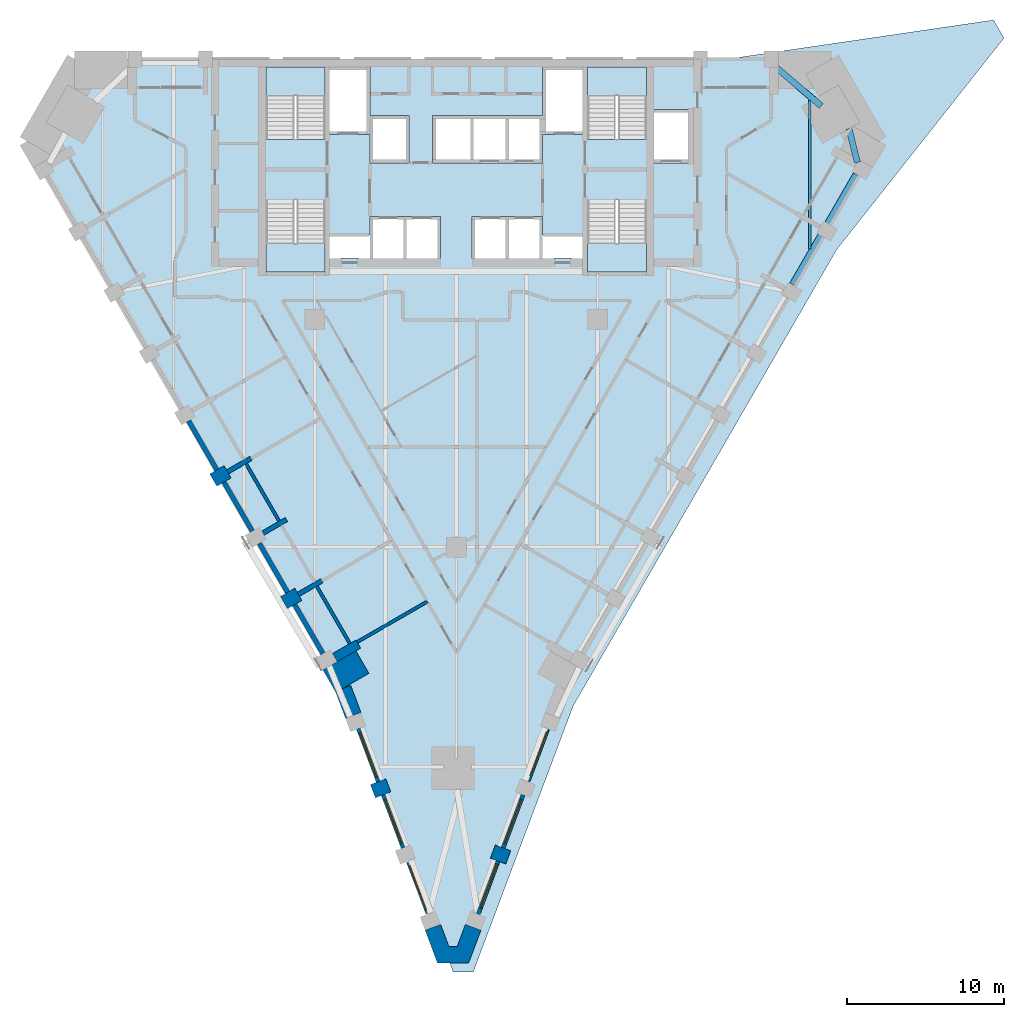
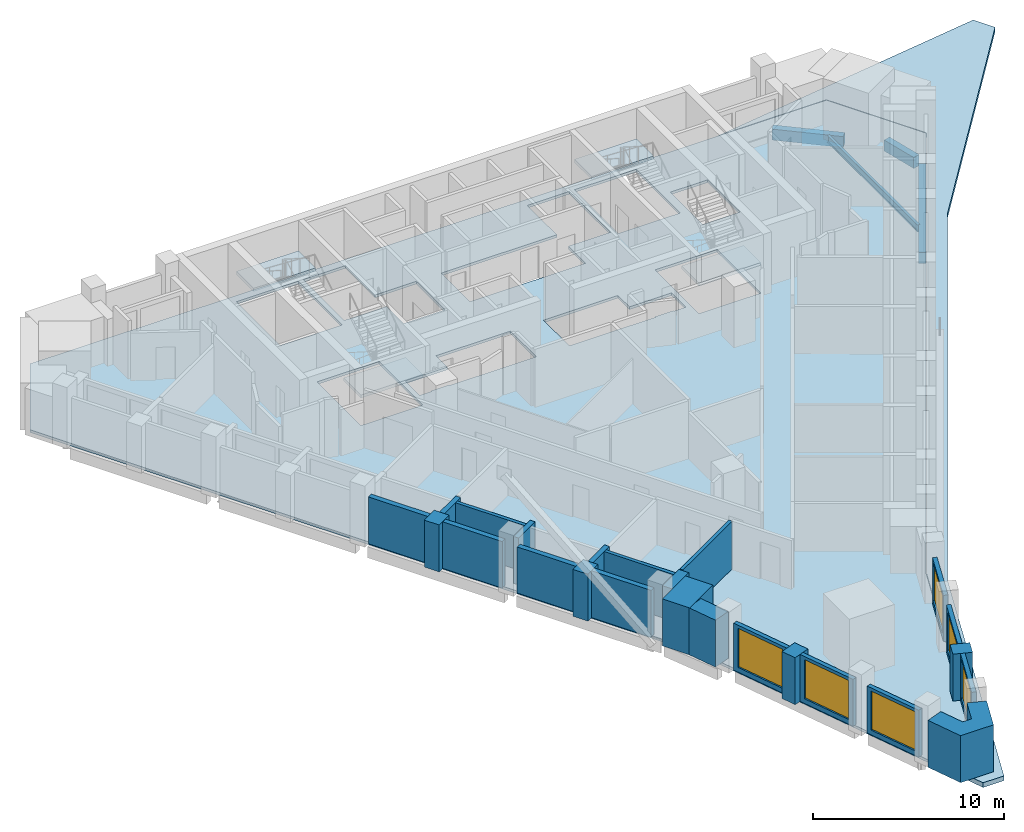
# One storey, part 2 of 10: 24 walls, 6 slabs, 6 windows, 4 beams, 6 openings, 4 elements without a shape of their own.
"""IFC4 building model written with IfcOpenShell, lengths in metres."""

from ifc_helpers import new_model, si_unit, direction, frame, frame_2d, origin, origin_2d, place, context, subcontext, project, spatial, polyline, rectangle, i_section, outline, extrude, material, layer, layer_set, material_profile, profile_set, type_object, element, fill, aggregate, save


model = new_model("IFC4")

# Units and contexts
model_context = context("Model", 3, precision=1e-05, world=origin(), true_north=direction((0.0, 1.0)))
body_context = subcontext(model_context, "Body", "Model", "MODEL_VIEW")
ifc_project = project(units=[si_unit("LENGTHUNIT", "METRE"), si_unit("AREAUNIT", "SQUARE_METRE"), si_unit("VOLUMEUNIT", "CUBIC_METRE"), si_unit("PLANEANGLEUNIT", "RADIAN"), si_unit("MASSUNIT", "GRAM", prefix="KILO")], contexts=[model_context])

# Site, building, storey
site_placement = place(None, origin())
site = spatial("IfcSite", under=ifc_project, at=site_placement, CompositionType="ELEMENT")
building_placement = place(site_placement, origin())
building = spatial("IfcBuilding", under=site, at=building_placement, Name="Calabash Gate Tower", CompositionType="ELEMENT")
storey_placement = place(building_placement, frame((0.0, 0.0, 144.60009765625)))
storey = spatial("IfcBuildingStorey", under=building, at=storey_placement, Name="L33", CompositionType="ELEMENT", Elevation=144.60009765625)

# Beams
ifc_material_1 = material(Name="Concrete C50/60", Category="concrete")
ifc_material_profile_1 = material_profile(ifc_material_1, rectangle(XDim=0.39990234375, YDim=0.699951171875, at=origin_2d()))
ifc_profile_set_1 = profile_set([ifc_material_profile_1], Name="Concrete C50/60")
beam_type_1 = type_object("IfcBeamType", Name="Edge beam RC 400x700 Concrete C50/60", PredefinedType="BEAM", material=ifc_profile_set_1)
beam_1_placement = place(storey_placement, frame((21.39697265625, 4.7060546875, -0.52001953125), z_axis=(0.50005208986, 0.865995327601, 0.0), x_axis=(-0.865995327601, 0.50005208986, 0.0)))
element("IfcBeam", 1, at=beam_1_placement, inside=storey, type_object=beam_type_1, Name="Edge beam L33 14", PredefinedType="BEAM", context=body_context, shape_type="SweptSolid", body=[
    extrude(rectangle(XDim=0.39990234375, YDim=0.699951171875, at=origin_2d()), origin(), (0.0, 0.0, 1.0), 8.099365234375),
])
beam_2_placement = place(storey_placement, frame((25.531005859375, 12.471923828125, -0.52001953125), z_axis=(-0.243049873382, 0.970013793226, 0.0), x_axis=(-0.970013793226, -0.243049873382, 0.0)))
element("IfcBeam", 2, at=beam_2_placement, inside=storey, type_object=beam_type_1, Name="Edge beam L33 15", PredefinedType="BEAM", context=body_context, shape_type="SweptSolid", body=[
    extrude(rectangle(XDim=0.39990234375, YDim=0.699951171875, at=origin_2d()), origin(), (0.0, 0.0, 1.0), 2.23388671875),
])
beam_3_placement = place(storey_placement, frame((23.22705078125, 16.070068359375, -0.52001953125), z_axis=(-0.760267652888, 0.649609956799, 0.0), x_axis=(-0.649609956799, -0.760267652888, 0.0)))
element("IfcBeam", 3, at=beam_3_placement, inside=storey, type_object=beam_type_1, Name="Edge beam L33 16", PredefinedType="BEAM", context=body_context, shape_type="SweptSolid", body=[
    extrude(rectangle(XDim=0.39990234375, YDim=0.699951171875, at=origin_2d()), origin(), (0.0, 0.0, 1.0), 3.814697265625),
])
ifc_material_2 = material(Name="Steel ASTM A992 Gr50", Category="steel")
ifc_material_profile_2 = material_profile(ifc_material_2, i_section(OverallWidth=0.15234375, OverallDepth=0.44970703125, WebThickness=0.007568359375, FlangeThickness=0.0107421875, FilletRadius=0.01025390625, at=origin_2d()))
ifc_profile_set_2 = profile_set([ifc_material_profile_2], Name="Steel ASTM A992 Gr50")
beam_type_2 = type_object("IfcBeamType", Name="Floor beam W18x35 ASTM A992 Gr50", PredefinedType="BEAM", material=ifc_profile_set_2)
beam_4_placement = place(storey_placement, frame((22.5, 6.98291015625, -0.39306640625), z_axis=(0.0, 1.0, 0.0), x_axis=(-1.0, 0.0, 0.0)))
element("IfcBeam", 4, at=beam_4_placement, inside=storey, type_object=beam_type_2, Name="Floor beam L33 19", PredefinedType="BEAM", context=body_context, shape_type="SweptSolid", body=[
    extrude(i_section(OverallWidth=0.15234375, OverallDepth=0.44970703125, WebThickness=0.007568359375, FlangeThickness=0.0107421875, FilletRadius=0.01025390625, at=origin_2d()), origin(), (0.0, 0.0, 1.0), 9.463134765625),
])

# Slabs
ifc_material_3 = material(Name="Concrete C40/50", Category="concrete")
ifc_layer_1 = layer(ifc_material_3, 0.169921875)
ifc_layer_set_1 = layer_set([ifc_layer_1], Name="Composite floor slab 170 Concrete C40/50")
slab_type_1 = type_object("IfcSlabType", Name="Composite floor slab 170 Concrete C40/50", PredefinedType="FLOOR", material=ifc_layer_set_1)
slab_1_placement = place(storey_placement, frame((0.0, 0.0, -0.170166015625)))
element("IfcSlab", 5, at=slab_1_placement, inside=storey, type_object=slab_type_1, Name="Floor slab L33", PredefinedType="FLOOR", context=body_context, shape_type="SweptSolid", body=[
    extrude(outline(polyline([(-24.28955078125, 19.052490234375), (23.880126953125, 19.052490234375), (26.895751953125, 13.8291015625), (6.795166015625, -20.98583984375), (0.428466796875, -37.92529296875), (-0.837890625, -37.92529296875), (-7.204833984375, -20.98583984375), (-27.30517578125, 13.8291015625), (-24.28955078125, 19.052490234375)]), holes=[polyline([(-3.25, 9.052490234375), (-5.5, 9.052490234375), (-5.5, 7.8525390625), (-8.050048828125, 7.8525390625), (-8.050048828125, 6.3525390625), (-7.324951171875, 6.3525390625), (-7.324951171875, 6.402587890625), (-6.22509765625, 6.402587890625), (-6.22509765625, 6.3525390625), (-5.5, 6.3525390625), (-3.25, 6.3525390625), (-1.0, 6.3525390625), (-1.0, 9.052490234375), (-3.25, 9.052490234375)]), polyline([(5.5, 6.3525390625), (6.22509765625, 6.3525390625), (6.22509765625, 6.402587890625), (7.324951171875, 6.402587890625), (7.324951171875, 6.3525390625), (8.050048828125, 6.3525390625), (8.050048828125, 7.8525390625), (5.5, 7.8525390625), (5.5, 9.052490234375), (3.25, 9.052490234375), (1.0, 9.052490234375), (1.0, 6.3525390625), (3.25, 6.3525390625), (5.5, 6.3525390625)]), polyline([(-5.5, 12.45263671875), (-3.0, 12.45263671875), (-3.0, 15.45263671875), (-5.5, 15.45263671875), (-5.5, 18.552490234375), (-8.050048828125, 18.552490234375), (-8.050048828125, 14.252685546875), (-5.5, 14.252685546875), (-5.5, 12.45263671875)]), polyline([(-1.5, 15.45263671875), (-1.5, 12.45263671875), (1.0, 12.45263671875), (3.25, 12.45263671875), (5.5, 12.45263671875), (5.5, 14.252685546875), (8.050048828125, 14.252685546875), (8.050048828125, 18.552490234375), (5.5, 18.552490234375), (5.5, 15.45263671875), (3.25, 15.45263671875), (1.0, 15.45263671875), (-1.5, 15.45263671875)]), polyline([(14.85009765625, 15.8525390625), (12.60009765625, 15.8525390625), (12.60009765625, 12.45263671875), (14.85009765625, 12.45263671875), (14.85009765625, 15.8525390625)]), polyline([(-8.35009765625, 18.552490234375), (-12.10009765625, 18.552490234375), (-12.10009765625, 13.95263671875), (-8.35009765625, 13.95263671875), (-8.35009765625, 18.552490234375)]), polyline([(-12.10009765625, 10.1025390625), (-12.10009765625, 5.502685546875), (-8.35009765625, 5.502685546875), (-8.35009765625, 10.1025390625), (-12.10009765625, 10.1025390625)]), polyline([(8.35009765625, 13.95263671875), (12.10009765625, 13.95263671875), (12.10009765625, 18.552490234375), (8.35009765625, 18.552490234375), (8.35009765625, 13.95263671875)]), polyline([(12.10009765625, 5.502685546875), (12.10009765625, 10.1025390625), (8.35009765625, 10.1025390625), (8.35009765625, 5.502685546875), (12.10009765625, 5.502685546875)])]), origin(), (0.0, 0.0, 1.0), 0.170166015625),
])
ifc_material_4 = material(Name="Concrete C40/50", Category="concrete")
ifc_layer_2 = layer(ifc_material_4, 0.300048828125)
ifc_layer_set_2 = layer_set([ifc_layer_2], Name="Reinforced concrete roof slab 300 Concrete C40/50")
slab_type_2 = type_object("IfcSlabType", Name="Reinforced concrete roof slab 300 Concrete C40/50", PredefinedType="ROOF", material=ifc_layer_set_2)
slab_2_placement = place(storey_placement, frame((0.0, 0.0, -0.300048828125)))
element("IfcSlab", 6, at=slab_2_placement, inside=storey, type_object=slab_type_2, Name="Roof slab L32 1", PredefinedType="ROOF", context=body_context, shape_type="SweptSolid", body=[
    extrude(outline(polyline([(34.192138671875, 21.54150390625), (34.856689453125, 20.390625), (24.2099609375, 6.92822265625), (7.444580078125, -22.110595703125), (1.077880859375, -39.050048828125), (-0.188720703125, -39.050048828125), (-0.60400390625, -37.9453125), (0.428466796875, -37.9453125), (0.4306640625, -37.9453125), (0.4326171875, -37.94482421875), (0.4345703125, -37.9443359375), (0.4365234375, -37.94384765625), (0.438232421875, -37.94287109375), (0.43994140625, -37.94189453125), (0.441650390625, -37.9404296875), (0.443115234375, -37.939208984375), (0.4443359375, -37.937744140625), (0.445556640625, -37.93603515625), (0.446533203125, -37.934326171875), (0.447265625, -37.932373046875), (6.8134765625, -20.994384765625), (26.9130859375, 13.819091796875), (26.9140625, 13.82080078125), (26.91455078125, 13.822509765625), (26.915283203125, 13.824462890625), (26.91552734375, 13.826416015625), (26.915771484375, 13.828125), (26.915771484375, 13.830078125), (26.91552734375, 13.83203125), (26.915283203125, 13.833984375), (26.91455078125, 13.835693359375), (26.9140625, 13.83740234375), (26.9130859375, 13.839111328125), (23.8974609375, 19.0625), (23.896240234375, 19.064208984375), (23.89501953125, 19.065673828125), (23.893798828125, 19.067138671875), (23.892333984375, 19.068359375), (23.890869140625, 19.0693359375), (23.88916015625, 19.0703125), (23.887451171875, 19.071044921875), (23.8857421875, 19.07177734375), (23.8837890625, 19.072265625), (23.8818359375, 19.072509765625), (23.880126953125, 19.072509765625), (17.346435546875, 19.072509765625), (34.192138671875, 21.54150390625)])), origin(), (0.0, 0.0, 1.0), 0.300048828125),
])

# Stair, slab
ifc_material_5 = material(Name="Concrete C40/50", Category="concrete")
stair_type = type_object("IfcStairType", Name="Exit stair 22 risers of 177.3 mm", PredefinedType="HALF_TURN_STAIR", material=ifc_material_5)
stair_1_placement = place(storey_placement, origin())
stair_1 = element("IfcStair", 7, at=stair_1_placement, inside=storey, type_object=stair_type, Name="L33 Exit stair ST1", PredefinedType="HALF_TURN_STAIR")
ifc_material_6 = material(Name="Concrete C40/50", Category="concrete")
ifc_layer_3 = layer(ifc_material_6, 0.199951171875)
ifc_layer_set_3 = layer_set([ifc_layer_3], Name="Stair landing SL200")
slab_type_3 = type_object("IfcSlabType", Name="Stair landing SL200", PredefinedType="LANDING", material=ifc_layer_set_3)
slab_3_placement = place(storey_placement, frame((0.0, 0.0, 1.75)))
slab_3 = element("IfcSlab", 8, at=slab_3_placement, type_object=slab_type_3, Name="ST1 landing 1", PredefinedType="LANDING", context=body_context, shape_type="SweptSolid", body=[
    extrude(outline(polyline([(-8.35009765625, 16.74267578125), (-8.35009765625, 18.552490234375), (-12.10009765625, 18.552490234375), (-12.10009765625, 16.74267578125), (-8.35009765625, 16.74267578125)])), origin(), (0.0, 0.0, 1.0), 0.199951171875),
])
aggregate(stair_1, [slab_3])

stair_2_placement = place(storey_placement, origin())
stair_2 = element("IfcStair", 9, at=stair_2_placement, inside=storey, type_object=stair_type, Name="L33 Exit stair ST2", PredefinedType="HALF_TURN_STAIR")
slab_4_placement = place(storey_placement, frame((0.0, 0.0, 1.75)))
slab_4 = element("IfcSlab", 10, at=slab_4_placement, type_object=slab_type_3, Name="ST2 landing 1", PredefinedType="LANDING", context=body_context, shape_type="SweptSolid", body=[
    extrude(outline(polyline([(-12.10009765625, 7.3125), (-12.10009765625, 5.502685546875), (-8.35009765625, 5.502685546875), (-8.35009765625, 7.3125), (-12.10009765625, 7.3125)])), origin(), (0.0, 0.0, 1.0), 0.199951171875),
])
aggregate(stair_2, [slab_4])

stair_3_placement = place(storey_placement, origin())
stair_3 = element("IfcStair", 11, at=stair_3_placement, inside=storey, type_object=stair_type, Name="L33 Exit stair ST3", PredefinedType="HALF_TURN_STAIR")
slab_5_placement = place(storey_placement, frame((0.0, 0.0, 1.75)))
slab_5 = element("IfcSlab", 12, at=slab_5_placement, type_object=slab_type_3, Name="ST3 landing 1", PredefinedType="LANDING", context=body_context, shape_type="SweptSolid", body=[
    extrude(outline(polyline([(12.10009765625, 16.74267578125), (12.10009765625, 18.552490234375), (8.35009765625, 18.552490234375), (8.35009765625, 16.74267578125), (12.10009765625, 16.74267578125)])), origin(), (0.0, 0.0, 1.0), 0.199951171875),
])
aggregate(stair_3, [slab_5])

stair_4_placement = place(storey_placement, origin())
stair_4 = element("IfcStair", 13, at=stair_4_placement, inside=storey, type_object=stair_type, Name="L33 Exit stair ST4", PredefinedType="HALF_TURN_STAIR")
slab_6_placement = place(storey_placement, frame((0.0, 0.0, 1.75)))
slab_6 = element("IfcSlab", 14, at=slab_6_placement, type_object=slab_type_3, Name="ST4 landing 1", PredefinedType="LANDING", context=body_context, shape_type="SweptSolid", body=[
    extrude(outline(polyline([(8.35009765625, 7.3125), (8.35009765625, 5.502685546875), (12.10009765625, 5.502685546875), (12.10009765625, 7.3125), (8.35009765625, 7.3125)])), origin(), (0.0, 0.0, 1.0), 0.199951171875),
])
aggregate(stair_4, [slab_6])

# Walls
ifc_material_7 = material(Name="Terracotta brick masonry, exposed face", Category="masonry")
ifc_layer_4 = layer(ifc_material_7, 2.425048828125)
ifc_layer_set_4 = layer_set([ifc_layer_4], Name="Brick corner mass wall 2425")
wall_type_1 = type_object("IfcWallType", Name="Brick corner mass wall 2425", PredefinedType="SOLIDWALL", material=ifc_layer_set_4)
wall_1_placement = place(storey_placement, origin())
element("IfcWall", 15, at=wall_1_placement, inside=storey, type_object=wall_type_1, Name="Brick corner pier S09 1", PredefinedType="SOLIDWALL", context=body_context, shape_type="SweptSolid", body=[
    extrude(outline(polyline([(-5.559326171875, -20.035888671875), (-6.384521484375, -18.6064453125), (-7.573974609375, -19.293212890625), (-7.5732421875, -19.294189453125), (-8.482666015625, -19.819091796875), (-8.483154296875, -19.818115234375), (-8.484619140625, -19.819091796875), (-7.659423828125, -21.248291015625), (-5.559326171875, -20.035888671875)])), origin(), (0.0, 0.0, 1.0), 3.0),
])
ifc_material_8 = material(Name="Terracotta brick masonry, exposed face", Category="masonry")
ifc_layer_5 = layer(ifc_material_8, 1.050048828125)
ifc_layer_set_5 = layer_set([ifc_layer_5], Name="Brick end wall 1050")
wall_type_2 = type_object("IfcWallType", Name="Brick end wall 1050", PredefinedType="SOLIDWALL", material=ifc_layer_set_5)
for number, where, z_axis, x_axis, name in (
    (16, (-15.459716796875, -7.738037109375, 0.0), (0.0, 0.0, 1.0), (0.865988129768, 0.500064554934, 0.0), "Brick pier S09 SW0.5"),
    (17, (-10.05029296875, -15.00732421875, 0.0), (0.0, 0.0, 1.0), (-0.866088799389, -0.499890179513, 0.0), "Brick pier S09 SW0.7"),
    (18, (-4.321533203125, -27.164794921875, 0.0), (0.0, 0.0, 1.0), (-0.936080509118, -0.351785844584, 0.0), "Brick pier S09 wedge1.1"),
    (19, (3.311767578125, -31.74658203125, 0.0), (0.0, 0.0, 1.0), (-0.936003928089, 0.351989554676, 0.0), "Brick pier S09 wedge3.1"),
):
    element("IfcWall", number, at=place(storey_placement, frame(where, z_axis=z_axis, x_axis=x_axis)), inside=storey, type_object=wall_type_2, Name=name, PredefinedType="SOLIDWALL", context=body_context, shape_type="SweptSolid", body=[
        extrude(rectangle(XDim=1.050048828125, YDim=0.89990234375, at=frame_2d((0.52490234375, 0.0))), origin(), (0.0, 0.0, 1.0), 3.0),
    ])
wall_2_placement = place(storey_placement, origin())
element("IfcWall", 20, at=wall_2_placement, inside=storey, type_object=wall_type_2, Name="Brick end wall S09 1", PredefinedType="SOLIDWALL", context=body_context, shape_type="SweptSolid", body=[
    extrude(outline(polyline([(-6.06298828125, -22.53125), (-6.71337890625, -20.80126953125), (-7.204833984375, -20.98583984375), (-7.659423828125, -21.248291015625), (-7.680908203125, -21.2109375), (-7.0458984375, -22.900634765625), (-7.045654296875, -22.900634765625), (-7.045654296875, -22.900390625), (-6.06298828125, -22.53125)])), origin(), (0.0, 0.0, 1.0), 3.0),
])
wall_3_placement = place(storey_placement, origin())
element("IfcWall", 21, at=wall_3_placement, inside=storey, type_object=wall_type_2, Name="Brick end wall S09 2", PredefinedType="SOLIDWALL", context=body_context, shape_type="SweptSolid", body=[
    extrude(outline(polyline([(-0.474365234375, -37.400390625), (-0.996826171875, -36.010498046875), (-1.979736328125, -36.380126953125), (-1.20166015625, -38.450439453125), (0.7919921875, -38.450439453125), (1.5703125, -36.380126953125), (0.58740234375, -36.010498046875), (0.06494140625, -37.400390625), (-0.474365234375, -37.400390625)])), origin(), (0.0, 0.0, 1.0), 3.0),
])
ifc_material_9 = material(Name="Terracotta brick masonry, exposed face", Category="masonry")
ifc_layer_6 = layer(ifc_material_9, 0.300048828125)
ifc_layer_set_6 = layer_set([ifc_layer_6], Name="Brick infill panel wall 300")
wall_type_3 = type_object("IfcWallType", Name="Brick infill panel wall 300", PredefinedType="SOLIDWALL", material=ifc_layer_set_6)
wall_4_placement = place(storey_placement, frame((-15.22998046875, -7.085693359375, 0.0), z_axis=(0.0, 0.0, 1.0), x_axis=(-0.499998428639, 0.866026311008, 0.0)))
element("IfcWall", 22, at=wall_4_placement, inside=storey, type_object=wall_type_3, Name="Brick panel S09 SW0.5", PredefinedType="SOLIDWALL", context=body_context, shape_type="SweptSolid", body=[
    extrude(rectangle(XDim=3.59912109375, YDim=0.300048828125, at=frame_2d((1.799560546875, 0.0))), origin(), (0.0, 0.0, 1.0), 3.0),
])
wall_5_placement = place(storey_placement, frame((-14.780029296875, -7.865234375, 0.0), z_axis=(0.0, 0.0, 1.0), x_axis=(0.500012057535, -0.866018442252, 0.0)))
element("IfcWall", 23, at=wall_5_placement, inside=storey, type_object=wall_type_3, Name="Brick panel S09 SW0.6", PredefinedType="SOLIDWALL", context=body_context, shape_type="SweptSolid", body=[
    extrude(rectangle(XDim=3.60009765625, YDim=0.300048828125, at=frame_2d((1.800048828125, 0.0))), origin(), (0.0, 0.0, 1.0), 2.973388671875),
])
wall_6_placement = place(storey_placement, frame((-10.72998046875, -14.8798828125, 0.0), z_axis=(0.0, 0.0, 1.0), x_axis=(-0.500006299954, 0.866021766474, 0.0)))
element("IfcWall", 24, at=wall_6_placement, inside=storey, type_object=wall_type_3, Name="Brick panel S09 SW0.7", PredefinedType="SOLIDWALL", context=body_context, shape_type="SweptSolid", body=[
    extrude(rectangle(XDim=3.5986328125, YDim=0.300048828125, at=frame_2d((1.79931640625, 0.0))), origin(), (0.0, 0.0, 1.0), 2.949951171875),
])
wall_7_placement = place(storey_placement, frame((-10.280029296875, -15.659423828125, 0.0), z_axis=(0.0, 0.0, 1.0), x_axis=(0.500012057535, -0.866018442252, 0.0)))
element("IfcWall", 25, at=wall_7_placement, inside=storey, type_object=wall_type_3, Name="Brick panel S09 SW0.8", PredefinedType="SOLIDWALL", context=body_context, shape_type="SweptSolid", body=[
    extrude(rectangle(XDim=3.60009765625, YDim=0.300048828125, at=frame_2d((1.800048828125, 0.0))), origin(), (0.0, 0.0, 1.0), 3.0),
])
ifc_material_10 = material(Name="Terracotta brick masonry, exposed face", Category="masonry")
ifc_layer_7 = layer(ifc_material_10, 0.300048828125)
ifc_layer_set_7 = layer_set([ifc_layer_7], Name="Brick loggia cheek wall 300")
wall_type_4 = type_object("IfcWallType", Name="Brick loggia cheek wall 300", PredefinedType="SOLIDWALL", material=ifc_layer_set_7)
wall_8_placement = place(storey_placement, frame((-14.55029296875, -7.212890625, 0.0), z_axis=(0.0, 0.0, 1.0), x_axis=(0.866074815912, 0.499914405916, 0.0)))
element("IfcWall", 26, at=wall_8_placement, inside=storey, type_object=wall_type_4, Name="Loggia cheek S09 SW0.5", PredefinedType="SOLIDWALL", context=body_context, shape_type="SweptSolid", body=[
    extrude(rectangle(XDim=1.724853515625, YDim=0.300048828125, at=frame_2d((0.8623046875, 0.0))), origin(), (0.0, 0.0, 1.0), 2.973388671875),
])
wall_9_placement = place(storey_placement, frame((-10.806396484375, -10.24755859375, 0.0), z_axis=(0.0, 0.0, 1.0), x_axis=(-0.866020469142, -0.500008546953, 0.0)))
element("IfcWall", 27, at=wall_9_placement, inside=storey, type_object=wall_type_4, Name="Loggia cheek S09 SW0.6", PredefinedType="SOLIDWALL", context=body_context, shape_type="SweptSolid", body=[
    extrude(rectangle(XDim=1.7236328125, YDim=0.300048828125, at=frame_2d((0.86181640625, 0.0))), origin(), (0.0, 0.0, 1.0), 3.0),
])
wall_10_placement = place(storey_placement, frame((-10.05029296875, -15.00732421875, 0.0), z_axis=(0.0, 0.0, 1.0), x_axis=(0.866013532718, 0.500020560727, 0.0)))
element("IfcWall", 28, at=wall_10_placement, inside=storey, type_object=wall_type_4, Name="Loggia cheek S09 SW0.7", PredefinedType="SOLIDWALL", context=body_context, shape_type="SweptSolid", body=[
    extrude(rectangle(XDim=1.72509765625, YDim=0.300048828125, at=frame_2d((0.862548828125, 0.0))), origin(), (0.0, 0.0, 1.0), 3.0),
])
wall_11_placement = place(storey_placement, frame((-7.723876953125, -19.033447265625, 0.0), z_axis=(0.0, 0.0, 1.0), x_axis=(0.865985050045, 0.500069888215, 0.0)))
element("IfcWall", 29, at=wall_11_placement, inside=storey, type_object=wall_type_4, Name="Loggia cheek S09 SW0.8", PredefinedType="SOLIDWALL", context=body_context, shape_type="SweptSolid", body=[
    extrude(rectangle(XDim=1.723388671875, YDim=0.60009765625, at=frame_2d((0.86181640625, 0.0))), origin(), (0.0, 0.0, 1.0), 3.0),
])
ifc_material_11 = material(Name="Gypsum board on steel studs, mineral wool", Category="steel")
ifc_layer_8 = layer(ifc_material_11, 0.199951171875)
ifc_layer_set_8 = layer_set([ifc_layer_8], Name="Partition 200 gypsum board EI 60")
wall_type_5 = type_object("IfcWallType", Name="Partition 200 gypsum board EI 60", PredefinedType="PARTITIONING", material=ifc_layer_set_8)
wall_12_placement = place(storey_placement, frame((-6.30615234375, -18.042236328125, 0.0), z_axis=(0.0, 0.0, 1.0), x_axis=(0.86617295725, 0.499744342768, 0.0)))
element("IfcWall", 30, at=wall_12_placement, inside=storey, type_object=wall_type_5, Name="Partition", PredefinedType="PARTITIONING", context=body_context, shape_type="SweptSolid", body=[
    extrude(rectangle(XDim=5.149658203125, YDim=0.199951171875, at=frame_2d((2.57470703125, 0.0))), origin(), (0.0, 0.0, 1.0), 3.0517578125),
])

# Wall, opening, window
ifc_material_12 = material(Name="Aluminium framed window wall with insulated spandrel", Category="aluminium")
ifc_layer_9 = layer(ifc_material_12, 0.25)
ifc_layer_set_9 = layer_set([ifc_layer_9], Name="Prow window wall 250")
wall_type_6 = type_object("IfcWallType", Name="Prow window wall 250", PredefinedType="ELEMENTEDWALL", material=ifc_layer_set_9)
wall_13_placement = place(storey_placement, frame((-6.23779296875, -23.558349609375, 0.0), z_axis=(0.0, 0.0, 1.0), x_axis=(0.351829371284, -0.936064150314, 0.0)))
wall_13 = element("IfcWall", 31, at=wall_13_placement, inside=storey, type_object=wall_type_6, Name="Prow window wall S09 wedge1.1", PredefinedType="ELEMENTEDWALL", context=body_context, shape_type="SweptSolid", body=[
    extrude(rectangle(XDim=3.60009765625, YDim=0.25, at=frame_2d((1.800048828125, 0.0))), origin(), (0.0, 0.0, 1.0), 3.0),
])
opening_1_placement = place(wall_13_placement, frame((0.300048828125, 0.0, 0.300048828125)))
opening_1 = element("IfcOpeningElement", 32, at=opening_1_placement, cuts=wall_13, Name="Opening WP2", PredefinedType="OPENING", context=body_context, shape_type="SweptSolid", body=[
    extrude(rectangle(XDim=3.0, YDim=2.5, at=frame_2d((1.5, 1.25))), frame((0.0, 0.135009765625, 0.0), z_axis=(0.0, -1.0, 0.0), x_axis=(1.0, 0.0, 0.0)), (0.0, 0.0, 1.0), 0.27001953125),
])
ifc_material_13 = material(Name="Anodised aluminium frame, bronze finish, impact-rated laminated clear glazing", Category="aluminium")
window_type_1 = type_object("IfcWindowType", Name="Window WP2 3000x2500", PartitioningType="DOUBLE_PANEL_VERTICAL", PredefinedType="WINDOW", material=ifc_material_13)
window_1_placement = place(opening_1_placement, origin())
window_1 = element("IfcWindow", 33, at=window_1_placement, inside=storey, type_object=window_type_1, Name="Prow window WP2 S09 wedge1.1", OverallHeight=2.5, OverallWidth=3.0, PartitioningType="SINGLE_PANEL", PredefinedType="WINDOW", context=body_context, shape_type="SweptSolid", body=[
    extrude(rectangle(XDim=3.0, YDim=2.5, at=frame_2d((1.5, 1.25))), frame((0.0, 0.030029296875, 0.0), z_axis=(0.0, -1.0, 0.0), x_axis=(1.0, 0.0, 0.0)), (0.0, 0.0, 1.0), 0.06005859375),
])
fill(opening_1, window_1)

wall_14_placement = place(storey_placement, frame((-4.654541015625, -27.770751953125, 0.0), z_axis=(0.0, 0.0, 1.0), x_axis=(0.351769947693, -0.936086483131, 0.0)))
wall_14 = element("IfcWall", 34, at=wall_14_placement, inside=storey, type_object=wall_type_6, Name="Prow window wall S09 wedge1.2", PredefinedType="ELEMENTEDWALL", context=body_context, shape_type="SweptSolid", body=[
    extrude(rectangle(XDim=3.599853515625, YDim=0.25, at=frame_2d((1.7998046875, 0.0))), origin(), (0.0, 0.0, 1.0), 3.0),
])
opening_2_placement = place(wall_14_placement, frame((0.300048828125, 0.0, 0.300048828125)))
opening_2 = element("IfcOpeningElement", 35, at=opening_2_placement, cuts=wall_14, Name="Opening WP2", PredefinedType="OPENING", context=body_context, shape_type="SweptSolid", body=[
    extrude(rectangle(XDim=3.0, YDim=2.5, at=frame_2d((1.5, 1.25))), frame((0.0, 0.135009765625, 0.0), z_axis=(0.0, -1.0, 0.0), x_axis=(1.0, 0.0, 0.0)), (0.0, 0.0, 1.0), 0.27001953125),
])
window_2_placement = place(opening_2_placement, origin())
window_2 = element("IfcWindow", 36, at=window_2_placement, inside=storey, type_object=window_type_1, Name="Prow window WP2 S09 wedge1.2", OverallHeight=2.5, OverallWidth=3.0, PartitioningType="SINGLE_PANEL", PredefinedType="WINDOW", context=body_context, shape_type="SweptSolid", body=[
    extrude(rectangle(XDim=3.0, YDim=2.5, at=frame_2d((1.5, 1.25))), frame((0.0, 0.030029296875, 0.0), z_axis=(0.0, -1.0, 0.0), x_axis=(1.0, 0.0, 0.0)), (0.0, 0.0, 1.0), 0.06005859375),
])
fill(opening_2, window_2)

wall_15_placement = place(storey_placement, frame((-3.053955078125, -32.02978515625, 0.0), z_axis=(0.0, 0.0, 1.0), x_axis=(0.351826590602, -0.936065195457, 0.0)))
wall_15 = element("IfcWall", 37, at=wall_15_placement, inside=storey, type_object=wall_type_6, Name="Prow window wall S09 wedge1.3", PredefinedType="ELEMENTEDWALL", context=body_context, shape_type="SweptSolid", body=[
    extrude(rectangle(XDim=3.500244140625, YDim=0.25, at=frame_2d((1.75, 0.0))), origin(), (0.0, 0.0, 1.0), 3.0),
])
opening_3_placement = place(wall_15_placement, frame((0.25, 0.0, 0.300048828125)))
opening_3 = element("IfcOpeningElement", 38, at=opening_3_placement, cuts=wall_15, Name="Opening WP2", PredefinedType="OPENING", context=body_context, shape_type="SweptSolid", body=[
    extrude(rectangle(XDim=3.0, YDim=2.5, at=frame_2d((1.5, 1.25))), frame((0.0, 0.135009765625, 0.0), z_axis=(0.0, -1.0, 0.0), x_axis=(1.0, 0.0, 0.0)), (0.0, 0.0, 1.0), 0.27001953125),
])
window_3_placement = place(opening_3_placement, origin())
window_3 = element("IfcWindow", 39, at=window_3_placement, inside=storey, type_object=window_type_1, Name="Prow window WP2 S09 wedge1.3", OverallHeight=2.5, OverallWidth=3.0, PartitioningType="SINGLE_PANEL", PredefinedType="WINDOW", context=body_context, shape_type="SweptSolid", body=[
    extrude(rectangle(XDim=3.0, YDim=2.5, at=frame_2d((1.5, 1.25))), frame((0.0, 0.030029296875, 0.0), z_axis=(0.0, -1.0, 0.0), x_axis=(1.0, 0.0, 0.0)), (0.0, 0.0, 1.0), 0.06005859375),
])
fill(opening_3, window_3)

wall_16_placement = place(storey_placement, frame((1.3955078125, -35.352783203125, 0.0), z_axis=(0.0, 0.0, 1.0), x_axis=(0.351829371284, 0.936064150314, 0.0)))
wall_16 = element("IfcWall", 40, at=wall_16_placement, inside=storey, type_object=wall_type_6, Name="Prow window wall S09 wedge3.1", PredefinedType="ELEMENTEDWALL", context=body_context, shape_type="SweptSolid", body=[
    extrude(rectangle(XDim=3.60009765625, YDim=0.25, at=frame_2d((1.800048828125, 0.0))), origin(), (0.0, 0.0, 1.0), 3.0),
])
opening_4_placement = place(wall_16_placement, frame((0.39990234375, 0.0, 0.300048828125)))
opening_4 = element("IfcOpeningElement", 41, at=opening_4_placement, cuts=wall_16, Name="Opening WP2", PredefinedType="OPENING", context=body_context, shape_type="SweptSolid", body=[
    extrude(rectangle(XDim=3.0, YDim=2.5, at=frame_2d((1.5, 1.25))), frame((0.0, 0.135009765625, 0.0), z_axis=(0.0, -1.0, 0.0), x_axis=(1.0, 0.0, 0.0)), (0.0, 0.0, 1.0), 0.27001953125),
])
window_4_placement = place(opening_4_placement, origin())
window_4 = element("IfcWindow", 42, at=window_4_placement, inside=storey, type_object=window_type_1, Name="Prow window WP2 S09 wedge3.1", OverallHeight=2.5, OverallWidth=3.0, PartitioningType="SINGLE_PANEL", PredefinedType="WINDOW", context=body_context, shape_type="SweptSolid", body=[
    extrude(rectangle(XDim=3.0, YDim=2.5, at=frame_2d((1.5, 1.25))), frame((0.0, 0.030029296875, 0.0), z_axis=(0.0, -1.0, 0.0), x_axis=(1.0, 0.0, 0.0)), (0.0, 0.0, 1.0), 0.06005859375),
])
fill(opening_4, window_4)

wall_17_placement = place(storey_placement, frame((2.978515625, -31.140625, 0.0), z_axis=(0.0, 0.0, 1.0), x_axis=(0.351829371284, 0.936064150314, 0.0)))
wall_17 = element("IfcWall", 43, at=wall_17_placement, inside=storey, type_object=wall_type_6, Name="Prow window wall S09 wedge3.2", PredefinedType="ELEMENTEDWALL", context=body_context, shape_type="SweptSolid", body=[
    extrude(rectangle(XDim=3.60009765625, YDim=0.25, at=frame_2d((1.800048828125, 0.0))), origin(), (0.0, 0.0, 1.0), 3.0),
])
opening_5_placement = place(wall_17_placement, frame((0.300048828125, 0.0, 0.300048828125)))
opening_5 = element("IfcOpeningElement", 44, at=opening_5_placement, cuts=wall_17, Name="Opening WP2", PredefinedType="OPENING", context=body_context, shape_type="SweptSolid", body=[
    extrude(rectangle(XDim=3.0, YDim=2.5, at=frame_2d((1.5, 1.25))), frame((0.0, 0.135009765625, 0.0), z_axis=(0.0, -1.0, 0.0), x_axis=(1.0, 0.0, 0.0)), (0.0, 0.0, 1.0), 0.27001953125),
])
window_5_placement = place(opening_5_placement, origin())
window_5 = element("IfcWindow", 45, at=window_5_placement, inside=storey, type_object=window_type_1, Name="Prow window WP2 S09 wedge3.2", OverallHeight=2.5, OverallWidth=3.0, PartitioningType="SINGLE_PANEL", PredefinedType="WINDOW", context=body_context, shape_type="SweptSolid", body=[
    extrude(rectangle(XDim=3.0, YDim=2.5, at=frame_2d((1.5, 1.25))), frame((0.0, 0.030029296875, 0.0), z_axis=(0.0, -1.0, 0.0), x_axis=(1.0, 0.0, 0.0)), (0.0, 0.0, 1.0), 0.06005859375),
])
fill(opening_5, window_5)

wall_18_placement = place(storey_placement, frame((4.579345703125, -26.88134765625, 0.0), z_axis=(0.0, 0.0, 1.0), x_axis=(0.351849563443, 0.936056560634, 0.0)))
wall_18 = element("IfcWall", 46, at=wall_18_placement, inside=storey, type_object=wall_type_6, Name="Prow window wall S09 wedge3.3", PredefinedType="ELEMENTEDWALL", context=body_context, shape_type="SweptSolid", body=[
    extrude(rectangle(XDim=3.5, YDim=0.25, at=frame_2d((1.75, 0.0))), origin(), (0.0, 0.0, 1.0), 2.949951171875),
])
opening_6_placement = place(wall_18_placement, frame((0.35009765625, 0.0, 0.300048828125)))
opening_6 = element("IfcOpeningElement", 47, at=opening_6_placement, cuts=wall_18, Name="Opening WP2L-2450", PredefinedType="OPENING", context=body_context, shape_type="SweptSolid", body=[
    extrude(rectangle(XDim=3.0, YDim=2.449951171875, at=frame_2d((1.5, 1.22509765625))), frame((0.0, 0.135009765625, 0.0), z_axis=(0.0, -1.0, 0.0), x_axis=(1.0, 0.0, 0.0)), (0.0, 0.0, 1.0), 0.27001953125),
])
ifc_material_14 = material(Name="Anodised aluminium frame, bronze finish, impact-rated laminated clear glazing", Category="aluminium")
window_type_2 = type_object("IfcWindowType", Name="Window WP2L 3000x2450", PartitioningType="DOUBLE_PANEL_VERTICAL", PredefinedType="WINDOW", material=ifc_material_14)
window_6_placement = place(opening_6_placement, origin())
window_6 = element("IfcWindow", 48, at=window_6_placement, inside=storey, type_object=window_type_2, Name="Prow window WP2L S09 wedge3.3", OverallHeight=2.449951171875, OverallWidth=3.0, PartitioningType="SINGLE_PANEL", PredefinedType="WINDOW", context=body_context, shape_type="SweptSolid", body=[
    extrude(rectangle(XDim=3.0, YDim=2.449951171875, at=frame_2d((1.5, 1.22509765625))), frame((0.0, 0.030029296875, 0.0), z_axis=(0.0, -1.0, 0.0), x_axis=(1.0, 0.0, 0.0)), (0.0, 0.0, 1.0), 0.06005859375),
])
fill(opening_6, window_6)

# Walls
ifc_material_15 = material(Name="Aluminium framed window wall with insulated spandrel", Category="aluminium")
ifc_layer_10 = layer(ifc_material_15, 0.199951171875)
ifc_layer_set_10 = layer_set([ifc_layer_10], Name="Window wall 200")
wall_type_7 = type_object("IfcWallType", Name="Window wall 200", PredefinedType="ELEMENTEDWALL", material=ifc_layer_set_10)
wall_19_placement = place(storey_placement, frame((-13.37109375, -6.705322265625, 0.0), z_axis=(0.0, 0.0, 1.0), x_axis=(0.499958946799, -0.866049104564, 0.0)))
element("IfcWall", 49, at=wall_19_placement, inside=storey, type_object=wall_type_7, Name="Window wall S09 SW0.6", PredefinedType="ELEMENTEDWALL", context=body_context, shape_type="SweptSolid", body=[
    extrude(rectangle(XDim=4.199951171875, YDim=0.199951171875, at=frame_2d((2.10009765625, 0.0))), origin(), (0.0, 0.0, 1.0), 2.973388671875),
])
wall_20_placement = place(storey_placement, frame((-8.87109375, -14.49951171875, 0.0), z_axis=(0.0, 0.0, 1.0), x_axis=(0.499958946799, -0.866049104564, 0.0)))
element("IfcWall", 50, at=wall_20_placement, inside=storey, type_object=wall_type_7, Name="Window wall S09 SW0.8", PredefinedType="ELEMENTEDWALL", context=body_context, shape_type="SweptSolid", body=[
    extrude(rectangle(XDim=4.199951171875, YDim=0.199951171875, at=frame_2d((2.10009765625, 0.0))), origin(), (0.0, 0.0, 1.0), 3.0),
])

save(model, "model.ifc")
